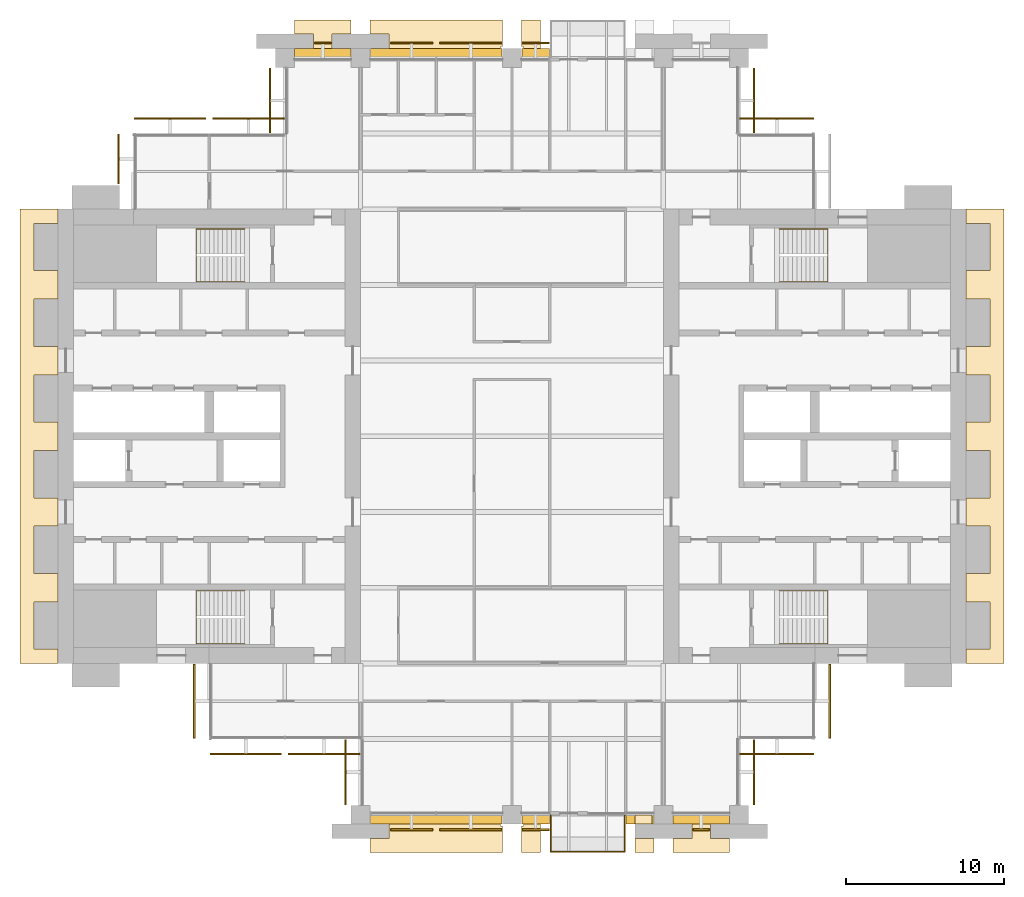
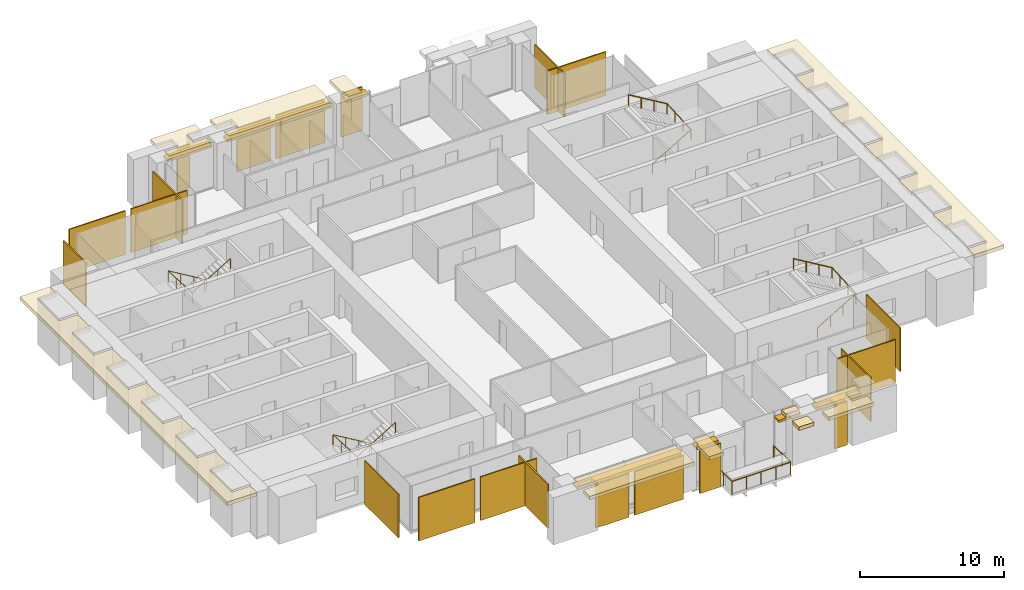
# One storey, part 14 of 15: 31 coverings, 7 shading devices, 5 railings.
"""IFC4 building model written with IfcOpenShell, lengths in metres."""

from ifc_helpers import new_model, si_unit, direction, frame, origin, origin_2d, place, context, subcontext, project, spatial, polyline, rectangle, circle, outline, extrude, material, layer, layer_set, type_object, element, save


model = new_model("IFC4")

# Units and contexts
model_context = context("Model", 3, precision=1e-05, world=origin(), true_north=direction((0.0, 1.0)))
body_context = subcontext(model_context, "Body", "Model", "MODEL_VIEW")
ifc_project = project(units=[si_unit("LENGTHUNIT", "METRE"), si_unit("AREAUNIT", "SQUARE_METRE"), si_unit("VOLUMEUNIT", "CUBIC_METRE"), si_unit("PLANEANGLEUNIT", "RADIAN"), si_unit("MASSUNIT", "GRAM", prefix="KILO")], contexts=[model_context])

# Site, building, storey
site_placement = place(None, origin())
site = spatial("IfcSite", under=ifc_project, at=site_placement, CompositionType="ELEMENT")
building_placement = place(site_placement, origin())
building = spatial("IfcBuilding", under=site, at=building_placement, Name="Baori Bourse Tower", CompositionType="ELEMENT")
storey_placement = place(building_placement, frame((0.0, 0.0, 164.10009765625)))
storey = spatial("IfcBuildingStorey", under=building, at=storey_placement, Name="L36", CompositionType="ELEMENT", Elevation=164.10009765625)

# Coverings
ifc_material_1 = material(Name="Pale anodised aluminium", Category="aluminium")
covering_type_1 = type_object("IfcCoveringType", Name="BD1 Pale metal band", PredefinedType="CLADDING", material=ifc_material_1)
covering_1_placement = place(storey_placement, frame((0.0, 0.0, 3.539794921875)))
element("IfcCovering", 1, at=covering_1_placement, inside=storey, type_object=covering_type_1, Name="Pale projecting band L36 1", PredefinedType="CLADDING", context=body_context, shape_type="SweptSolid", body=[
    extrude(outline(polyline([(57.60009765625, 10.5), (57.60009765625, 9.60009765625), (60.0, 9.60009765625), (60.0, 38.39990234375), (57.60009765625, 38.39990234375), (57.60009765625, 37.5), (59.10009765625, 37.5), (59.10009765625, 34.5), (57.60009765625, 34.5), (57.60009765625, 32.699951171875), (59.10009765625, 32.699951171875), (59.10009765625, 29.699951171875), (57.60009765625, 29.699951171875), (57.60009765625, 27.89990234375), (59.10009765625, 27.89990234375), (59.10009765625, 24.89990234375), (57.60009765625, 24.89990234375), (57.60009765625, 23.10009765625), (59.10009765625, 23.10009765625), (59.10009765625, 20.10009765625), (57.60009765625, 20.10009765625), (57.60009765625, 18.300048828125), (59.10009765625, 18.300048828125), (59.10009765625, 15.300048828125), (57.60009765625, 15.300048828125), (57.60009765625, 13.5), (59.10009765625, 13.5), (59.10009765625, 10.5), (57.60009765625, 10.5)])), origin(), (0.0, 0.0, 1.0), 0.300048828125),
])
covering_2_placement = place(storey_placement, frame((0.0, 0.0, 3.539794921875)))
element("IfcCovering", 2, at=covering_2_placement, inside=storey, type_object=covering_type_1, Name="Pale projecting band L36 5", PredefinedType="CLADDING", context=body_context, shape_type="SweptSolid", body=[
    extrude(outline(polyline([(29.52001953125, 48.0), (30.60009765625, 48.0), (30.60009765625, 50.39990234375), (29.39990234375, 50.39990234375), (29.39990234375, 48.719970703125), (29.52001953125, 48.719970703125), (29.52001953125, 48.0)])), origin(), (0.0, 0.0, 1.0), 0.300048828125),
])
covering_3_placement = place(storey_placement, frame((0.0, 0.0, 3.539794921875)))
element("IfcCovering", 3, at=covering_3_placement, inside=storey, type_object=covering_type_1, Name="Pale projecting band L36 6", PredefinedType="CLADDING", context=body_context, shape_type="SweptSolid", body=[
    extrude(outline(polyline([(19.919921875, 48.0), (28.080078125, 48.0), (28.080078125, 48.719970703125), (28.199951171875, 48.719970703125), (28.199951171875, 50.39990234375), (19.800048828125, 50.39990234375), (19.800048828125, 49.5), (21.0, 49.5), (21.0, 48.60009765625), (19.919921875, 48.60009765625), (19.919921875, 48.0)])), origin(), (0.0, 0.0, 1.0), 0.300048828125),
])
covering_4_placement = place(storey_placement, frame((0.0, 0.0, 3.539794921875)))
element("IfcCovering", 4, at=covering_4_placement, inside=storey, type_object=covering_type_1, Name="Pale projecting band L36 7", PredefinedType="CLADDING", context=body_context, shape_type="SweptSolid", body=[
    extrude(outline(polyline([(15.1201171875, 48.0), (18.47998046875, 48.0), (18.47998046875, 48.60009765625), (17.39990234375, 48.60009765625), (17.39990234375, 49.5), (18.60009765625, 49.5), (18.60009765625, 50.39990234375), (15.0, 50.39990234375), (15.0, 49.5), (16.199951171875, 49.5), (16.199951171875, 48.60009765625), (15.1201171875, 48.60009765625), (15.1201171875, 48.0)])), origin(), (0.0, 0.0, 1.0), 0.300048828125),
])
covering_5_placement = place(storey_placement, frame((0.0, 0.0, 3.539794921875)))
element("IfcCovering", 5, at=covering_5_placement, inside=storey, type_object=covering_type_1, Name="Pale projecting band L36 8", PredefinedType="CLADDING", context=body_context, shape_type="SweptSolid", body=[
    extrude(outline(polyline([(0.0, 37.5), (0.0, 38.39990234375), (-2.39990234375, 38.39990234375), (-2.39990234375, 9.60009765625), (0.0, 9.60009765625), (0.0, 10.5), (-1.5, 10.5), (-1.5, 13.5), (0.0, 13.5), (0.0, 15.300048828125), (-1.5, 15.300048828125), (-1.5, 18.300048828125), (0.0, 18.300048828125), (0.0, 20.10009765625), (-1.5, 20.10009765625), (-1.5, 23.10009765625), (0.0, 23.10009765625), (0.0, 24.89990234375), (-1.5, 24.89990234375), (-1.5, 27.89990234375), (0.0, 27.89990234375), (0.0, 29.699951171875), (-1.5, 29.699951171875), (-1.5, 32.699951171875), (0.0, 32.699951171875), (0.0, 34.5), (-1.5, 34.5), (-1.5, 37.5), (0.0, 37.5)])), origin(), (0.0, 0.0, 1.0), 0.300048828125),
])
covering_6_placement = place(storey_placement, frame((0.0, 0.0, 3.539794921875)))
element("IfcCovering", 6, at=covering_6_placement, inside=storey, type_object=covering_type_1, Name="Pale projecting band L36 9", PredefinedType="CLADDING", context=body_context, shape_type="SweptSolid", body=[
    extrude(outline(polyline([(28.080078125, 0.0), (19.919921875, 0.0), (19.919921875, -0.60009765625), (21.0, -0.60009765625), (21.0, -1.5), (19.800048828125, -1.5), (19.800048828125, -2.39990234375), (28.199951171875, -2.39990234375), (28.199951171875, -0.719970703125), (28.080078125, -0.719970703125), (28.080078125, 0.0)])), origin(), (0.0, 0.0, 1.0), 0.300048828125),
])
covering_7_placement = place(storey_placement, frame((0.0, 0.0, 3.539794921875)))
element("IfcCovering", 7, at=covering_7_placement, inside=storey, type_object=covering_type_1, Name="Pale projecting band L36 10", PredefinedType="CLADDING", context=body_context, shape_type="SweptSolid", body=[
    extrude(outline(polyline([(30.60009765625, 0.0), (29.52001953125, 0.0), (29.52001953125, -0.719970703125), (29.39990234375, -0.719970703125), (29.39990234375, -2.39990234375), (30.60009765625, -2.39990234375), (30.60009765625, 0.0)])), origin(), (0.0, 0.0, 1.0), 0.300048828125),
])
covering_8_placement = place(storey_placement, frame((0.0, 0.0, 3.539794921875)))
element("IfcCovering", 8, at=covering_8_placement, inside=storey, type_object=covering_type_1, Name="Pale projecting band L36 11", PredefinedType="CLADDING", context=body_context, shape_type="SweptSolid", body=[
    extrude(outline(polyline([(37.800048828125, -2.39990234375), (37.800048828125, -1.5), (36.60009765625, -1.5), (36.60009765625, -2.39990234375), (37.800048828125, -2.39990234375)])), origin(), (0.0, 0.0, 1.0), 0.300048828125),
])
covering_9_placement = place(storey_placement, frame((0.0, 0.0, 3.539794921875)))
element("IfcCovering", 9, at=covering_9_placement, inside=storey, type_object=covering_type_1, Name="Pale projecting band L36 12", PredefinedType="CLADDING", context=body_context, shape_type="SweptSolid", body=[
    extrude(outline(polyline([(37.679931640625, 0.0), (36.60009765625, 0.0), (36.60009765625, -0.60009765625), (37.679931640625, -0.60009765625), (37.679931640625, 0.0)])), origin(), (0.0, 0.0, 1.0), 0.300048828125),
])
covering_10_placement = place(storey_placement, frame((0.0, 0.0, 3.539794921875)))
element("IfcCovering", 10, at=covering_10_placement, inside=storey, type_object=covering_type_1, Name="Pale projecting band L36 13", PredefinedType="CLADDING", context=body_context, shape_type="SweptSolid", body=[
    extrude(outline(polyline([(42.47998046875, 0.0), (39.1201171875, 0.0), (39.1201171875, -0.60009765625), (40.199951171875, -0.60009765625), (40.199951171875, -1.5), (39.0, -1.5), (39.0, -2.39990234375), (42.60009765625, -2.39990234375), (42.60009765625, -1.5), (41.39990234375, -1.5), (41.39990234375, -0.60009765625), (42.47998046875, -0.60009765625), (42.47998046875, 0.0)])), origin(), (0.0, 0.0, 1.0), 0.300048828125),
])

# Shading devices
ifc_material_2 = material(Name="Concrete f'c 40 MPa", Category="concrete")
ifc_layer_1 = layer(ifc_material_2, 0.199951171875)
ifc_layer_set_1 = layer_set([ifc_layer_1], Name="BS1 Brise-soleil ledge")
shading_device_type = type_object("IfcShadingDeviceType", Name="BS1 Brise-soleil ledge", PredefinedType="USERDEFINED", material=ifc_layer_set_1)
shading_device_1_placement = place(storey_placement, frame((30.300048828125, 48.300048828125, 3.33984375), z_axis=(0.0, 0.0, 1.0), x_axis=(-1.0, 0.0, 0.0)))
element("IfcShadingDevice", 11, at=shading_device_1_placement, inside=storey, type_object=shading_device_type, Name="Brise-soleil ledge L36 3", ObjectType="BRISE SOLEIL", PredefinedType="USERDEFINED", context=body_context, shape_type="SweptSolid", body=[
    extrude(rectangle(XDim=1.760009765625, YDim=0.60009765625, at=origin_2d()), origin(), (0.0, 0.0, 1.0), 0.199951171875),
])
shading_device_2_placement = place(storey_placement, frame((24.0, 48.300048828125, 3.33984375), z_axis=(0.0, 0.0, 1.0), x_axis=(-1.0, 0.0, 0.0)))
element("IfcShadingDevice", 12, at=shading_device_2_placement, inside=storey, type_object=shading_device_type, Name="Brise-soleil ledge L36 4", ObjectType="BRISE SOLEIL", PredefinedType="USERDEFINED", context=body_context, shape_type="SweptSolid", body=[
    extrude(rectangle(XDim=8.360107421875, YDim=0.60009765625, at=origin_2d()), origin(), (0.0, 0.0, 1.0), 0.199951171875),
])
shading_device_3_placement = place(storey_placement, frame((16.800048828125, 48.300048828125, 3.33984375), z_axis=(0.0, 0.0, 1.0), x_axis=(-1.0, 0.0, 0.0)))
element("IfcShadingDevice", 13, at=shading_device_3_placement, inside=storey, type_object=shading_device_type, Name="Brise-soleil ledge L36 5", ObjectType="BRISE SOLEIL", PredefinedType="USERDEFINED", context=body_context, shape_type="SweptSolid", body=[
    extrude(rectangle(XDim=3.56005859375, YDim=0.60009765625, at=origin_2d()), origin(), (0.0, 0.0, 1.0), 0.199951171875),
])
shading_device_4_placement = place(storey_placement, frame((24.0, -0.300048828125, 3.33984375), z_axis=(0.0, 0.0, 1.0), x_axis=(1.0, 0.0, 0.0)))
element("IfcShadingDevice", 14, at=shading_device_4_placement, inside=storey, type_object=shading_device_type, Name="Brise-soleil ledge L36 6", ObjectType="BRISE SOLEIL", PredefinedType="USERDEFINED", context=body_context, shape_type="SweptSolid", body=[
    extrude(rectangle(XDim=8.360107421875, YDim=0.60009765625, at=origin_2d()), origin(), (0.0, 0.0, 1.0), 0.199951171875),
])
for number, where, z_axis, x_axis, name in (
    (15, (30.300048828125, -0.300048828125, 3.33984375), (0.0, 0.0, 1.0), (1.0, 0.0, 0.0), "Brise-soleil ledge L36 7"),
    (16, (36.89990234375, -0.300048828125, 3.33984375), (0.0, 0.0, 1.0), (1.0, 0.0, 0.0), "Brise-soleil ledge L36 8"),
):
    element("IfcShadingDevice", number, at=place(storey_placement, frame(where, z_axis=z_axis, x_axis=x_axis)), inside=storey, type_object=shading_device_type, Name=name, ObjectType="BRISE SOLEIL", PredefinedType="USERDEFINED", context=body_context, shape_type="SweptSolid", body=[
        extrude(rectangle(XDim=1.760009765625, YDim=0.60009765625, at=origin_2d()), origin(), (0.0, 0.0, 1.0), 0.199951171875),
    ])
shading_device_5_placement = place(storey_placement, frame((40.800048828125, -0.300048828125, 3.33984375), z_axis=(0.0, 0.0, 1.0), x_axis=(1.0, 0.0, 0.0)))
element("IfcShadingDevice", 17, at=shading_device_5_placement, inside=storey, type_object=shading_device_type, Name="Brise-soleil ledge L36 9", ObjectType="BRISE SOLEIL", PredefinedType="USERDEFINED", context=body_context, shape_type="SweptSolid", body=[
    extrude(rectangle(XDim=3.56005859375, YDim=0.60009765625, at=origin_2d()), origin(), (0.0, 0.0, 1.0), 0.199951171875),
])

# Railings
ifc_material_3 = material(Name="Powder-coated steel balustrade", Category="steel")
railing_type_1 = type_object("IfcRailingType", Name="Core stair handrail", PredefinedType="HANDRAIL", material=ifc_material_3)
railing_1_placement = place(storey_placement, frame((11.85009765625, 14.199951171875, 0.16650390625)))
element("IfcRailing", 18, at=railing_1_placement, inside=storey, type_object=railing_type_1, Name="L36 ST1 stair handrail 1", PredefinedType="HANDRAIL", context=body_context, shape_type="SweptSolid", body=[
    extrude(circle(Radius=0.02392578125, at=origin_2d()), frame((0.0, 0.0, 0.8759765625), z_axis=(-0.85927862911, 0.0, 0.511507807912), x_axis=(0.0, -1.0, 0.0)), (0.0, 0.0, 1.0), 3.58447265625),
    extrude(circle(Radius=0.02392578125, at=origin_2d()), frame((-3.080078125, 0.0, 2.70947265625), z_axis=(0.0, -0.998766999029, 0.049643545903), x_axis=(1.0, 0.0, 0.0)), (0.0, 0.0, 1.0), 3.35400390625),
    extrude(circle(Radius=0.02392578125, at=origin_2d()), frame((-3.080078125, -3.349853515625, 2.8759765625), z_axis=(0.85927862911, 0.0, 0.511507807912), x_axis=(0.0, 1.0, 0.0)), (0.0, 0.0, 1.0), 3.58447265625),
    extrude(circle(Radius=0.02099609375, at=origin_2d()), origin(), (0.0, 0.0, 1.0), 0.851806640625),
    extrude(circle(Radius=0.02099609375, at=origin_2d()), frame((-1.026611328125, 0.0, 0.611083984375)), (0.0, 0.0, 1.0), 0.851806640625),
    extrude(circle(Radius=0.02099609375, at=origin_2d()), frame((-2.053466796875, 0.0, 1.222412109375)), (0.0, 0.0, 1.0), 0.851806640625),
    extrude(circle(Radius=0.02099609375, at=origin_2d()), frame((-3.080078125, 0.0, 1.83349609375)), (0.0, 0.0, 1.0), 0.851806640625),
    extrude(circle(Radius=0.02099609375, at=origin_2d()), frame((-3.080078125, -1.11669921875, 1.888916015625)), (0.0, 0.0, 1.0), 0.851806640625),
    extrude(circle(Radius=0.02099609375, at=origin_2d()), frame((-3.080078125, -2.233154296875, 1.944580078125)), (0.0, 0.0, 1.0), 0.851806640625),
    extrude(circle(Radius=0.02099609375, at=origin_2d()), frame((-3.080078125, -3.349853515625, 2.0)), (0.0, 0.0, 1.0), 0.851806640625),
    extrude(circle(Radius=0.02099609375, at=origin_2d()), frame((-2.053466796875, -3.349853515625, 2.611083984375)), (0.0, 0.0, 1.0), 0.851806640625),
    extrude(circle(Radius=0.02099609375, at=origin_2d()), frame((-1.026611328125, -3.349853515625, 3.222412109375)), (0.0, 0.0, 1.0), 0.851806640625),
    extrude(circle(Radius=0.02099609375, at=origin_2d()), frame((0.0, -3.349853515625, 3.83349609375)), (0.0, 0.0, 1.0), 0.851806640625),
])
railing_2_placement = place(storey_placement, frame((11.85009765625, 37.14990234375, 0.16650390625)))
element("IfcRailing", 19, at=railing_2_placement, inside=storey, type_object=railing_type_1, Name="L36 ST2 stair handrail 1", PredefinedType="HANDRAIL", context=body_context, shape_type="SweptSolid", body=[
    extrude(circle(Radius=0.02392578125, at=origin_2d()), frame((0.0, 0.0, 0.8759765625), z_axis=(-0.85927862911, 0.0, 0.511507807912), x_axis=(0.0, -1.0, 0.0)), (0.0, 0.0, 1.0), 3.58447265625),
    extrude(circle(Radius=0.02392578125, at=origin_2d()), frame((-3.080078125, 0.0, 2.70947265625), z_axis=(0.0, -0.998766999029, 0.049643545903), x_axis=(1.0, 0.0, 0.0)), (0.0, 0.0, 1.0), 3.35400390625),
    extrude(circle(Radius=0.02392578125, at=origin_2d()), frame((-3.080078125, -3.349853515625, 2.8759765625), z_axis=(0.85927862911, 0.0, 0.511507807912), x_axis=(0.0, 1.0, 0.0)), (0.0, 0.0, 1.0), 3.58447265625),
    extrude(circle(Radius=0.02099609375, at=origin_2d()), origin(), (0.0, 0.0, 1.0), 0.851806640625),
    extrude(circle(Radius=0.02099609375, at=origin_2d()), frame((-1.026611328125, 0.0, 0.611083984375)), (0.0, 0.0, 1.0), 0.851806640625),
    extrude(circle(Radius=0.02099609375, at=origin_2d()), frame((-2.053466796875, 0.0, 1.222412109375)), (0.0, 0.0, 1.0), 0.851806640625),
    extrude(circle(Radius=0.02099609375, at=origin_2d()), frame((-3.080078125, 0.0, 1.83349609375)), (0.0, 0.0, 1.0), 0.851806640625),
    extrude(circle(Radius=0.02099609375, at=origin_2d()), frame((-3.080078125, -1.11669921875, 1.888916015625)), (0.0, 0.0, 1.0), 0.851806640625),
    extrude(circle(Radius=0.02099609375, at=origin_2d()), frame((-3.080078125, -2.233154296875, 1.944580078125)), (0.0, 0.0, 1.0), 0.851806640625),
    extrude(circle(Radius=0.02099609375, at=origin_2d()), frame((-3.080078125, -3.349853515625, 2.0)), (0.0, 0.0, 1.0), 0.851806640625),
    extrude(circle(Radius=0.02099609375, at=origin_2d()), frame((-2.053466796875, -3.349853515625, 2.611083984375)), (0.0, 0.0, 1.0), 0.851806640625),
    extrude(circle(Radius=0.02099609375, at=origin_2d()), frame((-1.026611328125, -3.349853515625, 3.222412109375)), (0.0, 0.0, 1.0), 0.851806640625),
    extrude(circle(Radius=0.02099609375, at=origin_2d()), frame((0.0, -3.349853515625, 3.83349609375)), (0.0, 0.0, 1.0), 0.851806640625),
])
railing_3_placement = place(storey_placement, frame((45.75, 10.85009765625, 0.16650390625)))
element("IfcRailing", 20, at=railing_3_placement, inside=storey, type_object=railing_type_1, Name="L36 ST3 stair handrail 1", PredefinedType="HANDRAIL", context=body_context, shape_type="SweptSolid", body=[
    extrude(circle(Radius=0.02392578125, at=origin_2d()), frame((0.0, 0.0, 0.8759765625), z_axis=(0.85927862911, 0.0, 0.511507807912), x_axis=(0.0, 1.0, 0.0)), (0.0, 0.0, 1.0), 3.58447265625),
    extrude(circle(Radius=0.02392578125, at=origin_2d()), frame((3.080078125, 0.0, 2.70947265625), z_axis=(0.0, 0.998766999029, 0.049643545903), x_axis=(-1.0, 0.0, 0.0)), (0.0, 0.0, 1.0), 3.35400390625),
    extrude(circle(Radius=0.02392578125, at=origin_2d()), frame((3.080078125, 3.349853515625, 2.8759765625), z_axis=(-0.85927862911, 0.0, 0.511507807912), x_axis=(0.0, -1.0, 0.0)), (0.0, 0.0, 1.0), 3.58447265625),
    extrude(circle(Radius=0.02099609375, at=origin_2d()), origin(), (0.0, 0.0, 1.0), 0.851806640625),
    extrude(circle(Radius=0.02099609375, at=origin_2d()), frame((1.026611328125, 0.0, 0.611083984375)), (0.0, 0.0, 1.0), 0.851806640625),
    extrude(circle(Radius=0.02099609375, at=origin_2d()), frame((2.053466796875, 0.0, 1.222412109375)), (0.0, 0.0, 1.0), 0.851806640625),
    extrude(circle(Radius=0.02099609375, at=origin_2d()), frame((3.080078125, 0.0, 1.83349609375)), (0.0, 0.0, 1.0), 0.851806640625),
    extrude(circle(Radius=0.02099609375, at=origin_2d()), frame((3.080078125, 1.11669921875, 1.888916015625)), (0.0, 0.0, 1.0), 0.851806640625),
    extrude(circle(Radius=0.02099609375, at=origin_2d()), frame((3.080078125, 2.233154296875, 1.944580078125)), (0.0, 0.0, 1.0), 0.851806640625),
    extrude(circle(Radius=0.02099609375, at=origin_2d()), frame((3.080078125, 3.349853515625, 2.0)), (0.0, 0.0, 1.0), 0.851806640625),
    extrude(circle(Radius=0.02099609375, at=origin_2d()), frame((2.053466796875, 3.349853515625, 2.611083984375)), (0.0, 0.0, 1.0), 0.851806640625),
    extrude(circle(Radius=0.02099609375, at=origin_2d()), frame((1.026611328125, 3.349853515625, 3.222412109375)), (0.0, 0.0, 1.0), 0.851806640625),
    extrude(circle(Radius=0.02099609375, at=origin_2d()), frame((0.0, 3.349853515625, 3.83349609375)), (0.0, 0.0, 1.0), 0.851806640625),
])
railing_4_placement = place(storey_placement, frame((45.75, 33.800048828125, 0.16650390625)))
element("IfcRailing", 21, at=railing_4_placement, inside=storey, type_object=railing_type_1, Name="L36 ST4 stair handrail 1", PredefinedType="HANDRAIL", context=body_context, shape_type="SweptSolid", body=[
    extrude(circle(Radius=0.02392578125, at=origin_2d()), frame((0.0, 0.0, 0.8759765625), z_axis=(0.85927862911, 0.0, 0.511507807912), x_axis=(0.0, 1.0, 0.0)), (0.0, 0.0, 1.0), 3.58447265625),
    extrude(circle(Radius=0.02392578125, at=origin_2d()), frame((3.080078125, 0.0, 2.70947265625), z_axis=(0.0, 0.998766999029, 0.049643545903), x_axis=(-1.0, 0.0, 0.0)), (0.0, 0.0, 1.0), 3.35400390625),
    extrude(circle(Radius=0.02392578125, at=origin_2d()), frame((3.080078125, 3.349853515625, 2.8759765625), z_axis=(-0.85927862911, 0.0, 0.511507807912), x_axis=(0.0, -1.0, 0.0)), (0.0, 0.0, 1.0), 3.58447265625),
    extrude(circle(Radius=0.02099609375, at=origin_2d()), origin(), (0.0, 0.0, 1.0), 0.851806640625),
    extrude(circle(Radius=0.02099609375, at=origin_2d()), frame((1.026611328125, 0.0, 0.611083984375)), (0.0, 0.0, 1.0), 0.851806640625),
    extrude(circle(Radius=0.02099609375, at=origin_2d()), frame((2.053466796875, 0.0, 1.222412109375)), (0.0, 0.0, 1.0), 0.851806640625),
    extrude(circle(Radius=0.02099609375, at=origin_2d()), frame((3.080078125, 0.0, 1.83349609375)), (0.0, 0.0, 1.0), 0.851806640625),
    extrude(circle(Radius=0.02099609375, at=origin_2d()), frame((3.080078125, 1.11669921875, 1.888916015625)), (0.0, 0.0, 1.0), 0.851806640625),
    extrude(circle(Radius=0.02099609375, at=origin_2d()), frame((3.080078125, 2.233154296875, 1.944580078125)), (0.0, 0.0, 1.0), 0.851806640625),
    extrude(circle(Radius=0.02099609375, at=origin_2d()), frame((3.080078125, 3.349853515625, 2.0)), (0.0, 0.0, 1.0), 0.851806640625),
    extrude(circle(Radius=0.02099609375, at=origin_2d()), frame((2.053466796875, 3.349853515625, 2.611083984375)), (0.0, 0.0, 1.0), 0.851806640625),
    extrude(circle(Radius=0.02099609375, at=origin_2d()), frame((1.026611328125, 3.349853515625, 3.222412109375)), (0.0, 0.0, 1.0), 0.851806640625),
    extrude(circle(Radius=0.02099609375, at=origin_2d()), frame((0.0, 3.349853515625, 3.83349609375)), (0.0, 0.0, 1.0), 0.851806640625),
])
ifc_material_4 = material(Name="Stainless steel", Category="steel")
railing_type_2 = type_object("IfcRailingType", Name="GD1 Guard", PredefinedType="GUARDRAIL", material=ifc_material_4)
railing_5_placement = place(storey_placement, frame((31.25, -0.030029296875, 0.0)))
element("IfcRailing", 22, at=railing_5_placement, inside=storey, type_object=railing_type_2, Name="Guard balcony S L36 1", PredefinedType="GUARDRAIL", context=body_context, shape_type="SweptSolid", body=[
    extrude(circle(Radius=0.02392578125, at=origin_2d()), frame((0.0, 0.0, 1.076171875), z_axis=(0.0, -1.0, 0.0), x_axis=(1.0, 0.0, 0.0)), (0.0, 0.0, 1.0), 2.320068359375),
    extrude(circle(Radius=0.02392578125, at=origin_2d()), frame((0.0, -2.320068359375, 1.076171875), z_axis=(1.0, 0.0, 0.0), x_axis=(0.0, 1.0, 0.0)), (0.0, 0.0, 1.0), 4.699951171875),
    extrude(circle(Radius=0.02392578125, at=origin_2d()), frame((4.699951171875, -2.320068359375, 1.076171875), z_axis=(0.0, 1.0, 0.0), x_axis=(-1.0, 0.0, 0.0)), (0.0, 0.0, 1.0), 2.320068359375),
    extrude(circle(Radius=0.02099609375, at=origin_2d()), origin(), (0.0, 0.0, 1.0), 1.052001953125),
    extrude(circle(Radius=0.02099609375, at=origin_2d()), frame((0.0, -1.16015625, 0.0)), (0.0, 0.0, 1.0), 1.052001953125),
    extrude(circle(Radius=0.02099609375, at=origin_2d()), frame((0.0, -2.320068359375, 0.0)), (0.0, 0.0, 1.0), 1.052001953125),
    extrude(circle(Radius=0.02099609375, at=origin_2d()), frame((1.175048828125, -2.320068359375, 0.0)), (0.0, 0.0, 1.0), 1.052001953125),
    extrude(circle(Radius=0.02099609375, at=origin_2d()), frame((2.35009765625, -2.320068359375, 0.0)), (0.0, 0.0, 1.0), 1.052001953125),
    extrude(circle(Radius=0.02099609375, at=origin_2d()), frame((3.52490234375, -2.320068359375, 0.0)), (0.0, 0.0, 1.0), 1.052001953125),
    extrude(circle(Radius=0.02099609375, at=origin_2d()), frame((4.699951171875, -2.320068359375, 0.0)), (0.0, 0.0, 1.0), 1.052001953125),
    extrude(circle(Radius=0.02099609375, at=origin_2d()), frame((4.699951171875, -1.16015625, 0.0)), (0.0, 0.0, 1.0), 1.052001953125),
    extrude(circle(Radius=0.02099609375, at=origin_2d()), frame((4.699951171875, 0.0, 0.0)), (0.0, 0.0, 1.0), 1.052001953125),
])

# Coverings
ifc_material_5 = material(Name="Pale anodised aluminium", Category="aluminium")
ifc_layer_2 = layer(ifc_material_5, 0.10009765625)
ifc_layer_set_2 = layer_set([ifc_layer_2], Name="OS3 Outer skin screen panel")
covering_type_2 = type_object("IfcCoveringType", Name="OS3 Outer skin screen panel", PredefinedType="CLADDING", material=ifc_layer_set_2)
covering_11_placement = place(storey_placement, frame((0.0, 0.0, -0.16015625)))
element("IfcCovering", 23, at=covering_11_placement, inside=storey, type_object=covering_type_2, Name="Outer skin screen L36 2", PredefinedType="CLADDING", context=body_context, shape_type="SweptSolid", body=[
    extrude(outline(polyline([(43.25, 44.10009765625), (47.949951171875, 44.10009765625), (47.949951171875, 44.199951171875), (43.25, 44.199951171875), (43.25, 44.10009765625)])), origin(), (0.0, 0.0, 1.0), 3.699951171875),
])
covering_12_placement = place(storey_placement, frame((0.0, 0.0, -0.16015625)))
element("IfcCovering", 24, at=covering_12_placement, inside=storey, type_object=covering_type_2, Name="Outer skin screen L36 3", PredefinedType="CLADDING", context=body_context, shape_type="SweptSolid", body=[
    extrude(outline(polyline([(44.10009765625, 47.35009765625), (44.10009765625, 43.25), (44.199951171875, 43.25), (44.199951171875, 47.35009765625), (44.10009765625, 47.35009765625)])), origin(), (0.0, 0.0, 1.0), 3.699951171875),
])
covering_13_placement = place(storey_placement, frame((0.0, 0.0, -0.16015625)))
element("IfcCovering", 25, at=covering_13_placement, inside=storey, type_object=covering_type_2, Name="Outer skin screen L36 5", PredefinedType="CLADDING", context=body_context, shape_type="SweptSolid", body=[
    extrude(outline(polyline([(29.449951171875, 48.89990234375), (31.14990234375, 48.89990234375), (31.14990234375, 49.0), (29.449951171875, 49.0), (29.449951171875, 48.89990234375)])), origin(), (0.0, 0.0, 1.0), 3.699951171875),
])
covering_14_placement = place(storey_placement, frame((0.0, 0.0, -0.16015625)))
element("IfcCovering", 26, at=covering_14_placement, inside=storey, type_object=covering_type_2, Name="Outer skin screen L36 6", PredefinedType="CLADDING", context=body_context, shape_type="SweptSolid", body=[
    extrude(outline(polyline([(24.22509765625, 48.89990234375), (28.14990234375, 48.89990234375), (28.14990234375, 49.0), (24.22509765625, 49.0), (24.22509765625, 48.89990234375)])), origin(), (0.0, 0.0, 1.0), 3.699951171875),
])
covering_15_placement = place(storey_placement, frame((0.0, 0.0, -0.16015625)))
element("IfcCovering", 27, at=covering_15_placement, inside=storey, type_object=covering_type_2, Name="Outer skin screen L36 7", PredefinedType="CLADDING", context=body_context, shape_type="SweptSolid", body=[
    extrude(outline(polyline([(21.10009765625, 48.89990234375), (23.77490234375, 48.89990234375), (23.77490234375, 49.0), (21.10009765625, 49.0), (21.10009765625, 48.89990234375)])), origin(), (0.0, 0.0, 1.0), 3.699951171875),
])
covering_16_placement = place(storey_placement, frame((0.0, 0.0, -0.16015625)))
element("IfcCovering", 28, at=covering_16_placement, inside=storey, type_object=covering_type_2, Name="Outer skin screen L36 8", PredefinedType="CLADDING", context=body_context, shape_type="SweptSolid", body=[
    extrude(outline(polyline([(16.300048828125, 48.89990234375), (17.300048828125, 48.89990234375), (17.300048828125, 49.0), (16.300048828125, 49.0), (16.300048828125, 48.89990234375)])), origin(), (0.0, 0.0, 1.0), 3.699951171875),
])
covering_17_placement = place(storey_placement, frame((0.0, 0.0, -0.16015625)))
element("IfcCovering", 29, at=covering_17_placement, inside=storey, type_object=covering_type_2, Name="Outer skin screen L36 9", PredefinedType="CLADDING", context=body_context, shape_type="SweptSolid", body=[
    extrude(outline(polyline([(13.5, 43.25), (13.5, 47.35009765625), (13.39990234375, 47.35009765625), (13.39990234375, 43.25), (13.5, 43.25)])), origin(), (0.0, 0.0, 1.0), 3.699951171875),
])
covering_18_placement = place(storey_placement, frame((0.0, 0.0, -0.16015625)))
element("IfcCovering", 30, at=covering_18_placement, inside=storey, type_object=covering_type_2, Name="Outer skin screen L36 10", PredefinedType="CLADDING", context=body_context, shape_type="SweptSolid", body=[
    extrude(outline(polyline([(9.824951171875, 44.10009765625), (14.35009765625, 44.10009765625), (14.35009765625, 44.199951171875), (9.824951171875, 44.199951171875), (9.824951171875, 44.10009765625)])), origin(), (0.0, 0.0, 1.0), 3.699951171875),
])
covering_19_placement = place(storey_placement, frame((0.0, 0.0, -0.16015625)))
element("IfcCovering", 31, at=covering_19_placement, inside=storey, type_object=covering_type_2, Name="Outer skin screen L36 11", PredefinedType="CLADDING", context=body_context, shape_type="SweptSolid", body=[
    extrude(outline(polyline([(4.85009765625, 44.10009765625), (9.375, 44.10009765625), (9.375, 44.199951171875), (4.85009765625, 44.199951171875), (4.85009765625, 44.10009765625)])), origin(), (0.0, 0.0, 1.0), 3.699951171875),
])
covering_20_placement = place(storey_placement, frame((0.0, 0.0, -0.16015625)))
element("IfcCovering", 32, at=covering_20_placement, inside=storey, type_object=covering_type_2, Name="Outer skin screen L36 12", PredefinedType="CLADDING", context=body_context, shape_type="SweptSolid", body=[
    extrude(outline(polyline([(3.89990234375, 40.0), (3.89990234375, 43.14990234375), (3.800048828125, 43.14990234375), (3.800048828125, 40.0), (3.89990234375, 40.0), (3.89990234375, 40.0)])), origin(), (0.0, 0.0, 1.0), 3.699951171875),
])
covering_21_placement = place(storey_placement, frame((0.0, 0.0, -0.16015625)))
element("IfcCovering", 33, at=covering_21_placement, inside=storey, type_object=covering_type_2, Name="Outer skin screen L36 13", PredefinedType="CLADDING", context=body_context, shape_type="SweptSolid", body=[
    extrude(outline(polyline([(8.699951171875, 4.85009765625), (8.699951171875, 9.550048828125), (8.60009765625, 9.550048828125), (8.60009765625, 4.85009765625), (8.699951171875, 4.85009765625)])), origin(), (0.0, 0.0, 1.0), 3.699951171875),
])
covering_22_placement = place(storey_placement, frame((0.0, 0.0, -0.16015625)))
element("IfcCovering", 34, at=covering_22_placement, inside=storey, type_object=covering_type_2, Name="Outer skin screen L36 14", PredefinedType="CLADDING", context=body_context, shape_type="SweptSolid", body=[
    extrude(outline(polyline([(14.175048828125, 3.89990234375), (9.64990234375, 3.89990234375), (9.64990234375, 3.800048828125), (14.175048828125, 3.800048828125), (14.175048828125, 3.89990234375)])), origin(), (0.0, 0.0, 1.0), 3.699951171875),
])
covering_23_placement = place(storey_placement, frame((0.0, 0.0, -0.16015625)))
element("IfcCovering", 35, at=covering_23_placement, inside=storey, type_object=covering_type_2, Name="Outer skin screen L36 15", PredefinedType="CLADDING", context=body_context, shape_type="SweptSolid", body=[
    extrude(outline(polyline([(19.14990234375, 3.89990234375), (14.625, 3.89990234375), (14.625, 3.800048828125), (19.14990234375, 3.800048828125), (19.14990234375, 3.89990234375)])), origin(), (0.0, 0.0, 1.0), 3.699951171875),
])
covering_24_placement = place(storey_placement, frame((0.0, 0.0, -0.16015625)))
element("IfcCovering", 36, at=covering_24_placement, inside=storey, type_object=covering_type_2, Name="Outer skin screen L36 16", PredefinedType="CLADDING", context=body_context, shape_type="SweptSolid", body=[
    extrude(outline(polyline([(18.300048828125, 0.64990234375), (18.300048828125, 4.75), (18.199951171875, 4.75), (18.199951171875, 0.64990234375), (18.300048828125, 0.64990234375)])), origin(), (0.0, 0.0, 1.0), 3.699951171875),
])
covering_25_placement = place(storey_placement, frame((0.0, 0.0, -0.16015625)))
element("IfcCovering", 37, at=covering_25_placement, inside=storey, type_object=covering_type_2, Name="Outer skin screen L36 17", PredefinedType="CLADDING", context=body_context, shape_type="SweptSolid", body=[
    extrude(outline(polyline([(23.77490234375, -0.89990234375), (21.10009765625, -0.89990234375), (21.10009765625, -1.0), (23.77490234375, -1.0), (23.77490234375, -0.89990234375)])), origin(), (0.0, 0.0, 1.0), 3.699951171875),
])
covering_26_placement = place(storey_placement, frame((0.0, 0.0, -0.16015625)))
element("IfcCovering", 38, at=covering_26_placement, inside=storey, type_object=covering_type_2, Name="Outer skin screen L36 18", PredefinedType="CLADDING", context=body_context, shape_type="SweptSolid", body=[
    extrude(outline(polyline([(28.14990234375, -0.89990234375), (24.22509765625, -0.89990234375), (24.22509765625, -1.0), (28.14990234375, -1.0), (28.14990234375, -0.89990234375)])), origin(), (0.0, 0.0, 1.0), 3.699951171875),
])
covering_27_placement = place(storey_placement, frame((0.0, 0.0, -0.16015625)))
element("IfcCovering", 39, at=covering_27_placement, inside=storey, type_object=covering_type_2, Name="Outer skin screen L36 19", PredefinedType="CLADDING", context=body_context, shape_type="SweptSolid", body=[
    extrude(outline(polyline([(31.14990234375, -0.89990234375), (29.449951171875, -0.89990234375), (29.449951171875, -1.0), (31.14990234375, -1.0), (31.14990234375, -0.89990234375)])), origin(), (0.0, 0.0, 1.0), 3.699951171875),
])
covering_28_placement = place(storey_placement, frame((0.0, 0.0, -0.16015625)))
element("IfcCovering", 40, at=covering_28_placement, inside=storey, type_object=covering_type_2, Name="Outer skin screen L36 20", PredefinedType="CLADDING", context=body_context, shape_type="SweptSolid", body=[
    extrude(outline(polyline([(41.300048828125, -0.89990234375), (40.300048828125, -0.89990234375), (40.300048828125, -1.0), (41.300048828125, -1.0), (41.300048828125, -0.89990234375)])), origin(), (0.0, 0.0, 1.0), 3.699951171875),
])
covering_29_placement = place(storey_placement, frame((0.0, 0.0, -0.16015625)))
element("IfcCovering", 41, at=covering_29_placement, inside=storey, type_object=covering_type_2, Name="Outer skin screen L36 21", PredefinedType="CLADDING", context=body_context, shape_type="SweptSolid", body=[
    extrude(outline(polyline([(44.10009765625, 4.75), (44.10009765625, 0.64990234375), (44.199951171875, 0.64990234375), (44.199951171875, 4.75), (44.10009765625, 4.75)])), origin(), (0.0, 0.0, 1.0), 3.699951171875),
])
covering_30_placement = place(storey_placement, frame((0.0, 0.0, -0.16015625)))
element("IfcCovering", 42, at=covering_30_placement, inside=storey, type_object=covering_type_2, Name="Outer skin screen L36 22", PredefinedType="CLADDING", context=body_context, shape_type="SweptSolid", body=[
    extrude(outline(polyline([(47.949951171875, 3.89990234375), (43.25, 3.89990234375), (43.25, 3.800048828125), (47.949951171875, 3.800048828125), (47.949951171875, 3.89990234375)])), origin(), (0.0, 0.0, 1.0), 3.699951171875),
])
covering_31_placement = place(storey_placement, frame((0.0, 0.0, -0.16015625)))
element("IfcCovering", 43, at=covering_31_placement, inside=storey, type_object=covering_type_2, Name="Outer skin screen L36 23", PredefinedType="CLADDING", context=body_context, shape_type="SweptSolid", body=[
    extrude(outline(polyline([(48.89990234375, 9.550048828125), (48.89990234375, 4.85009765625), (49.0, 4.85009765625), (49.0, 9.550048828125), (48.89990234375, 9.550048828125)])), origin(), (0.0, 0.0, 1.0), 3.699951171875),
])

save(model, "model.ifc")
